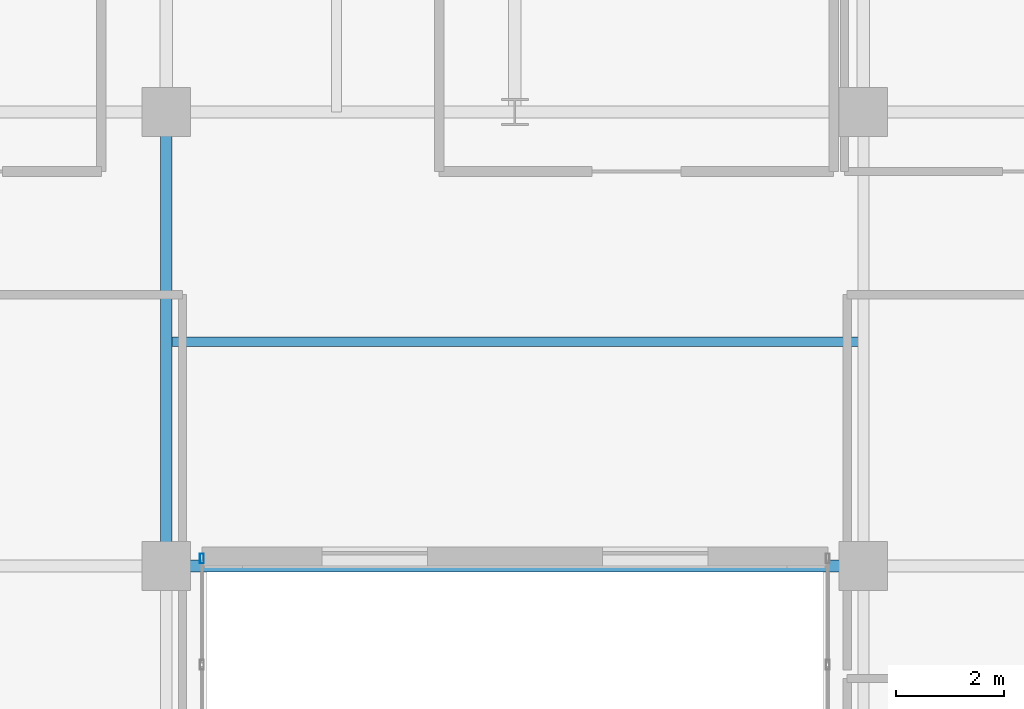
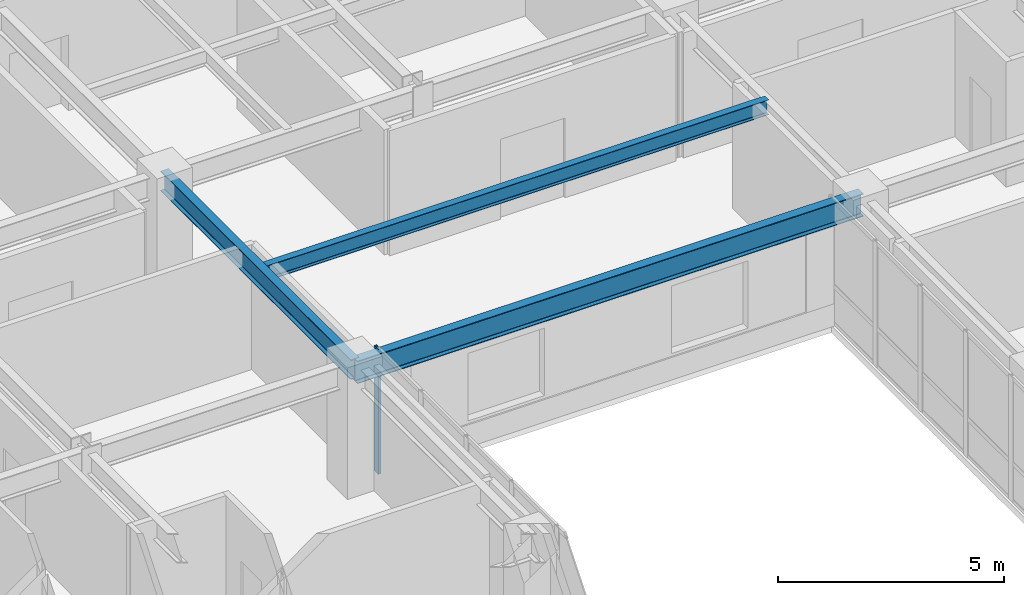
# One storey, part 5 of 25: 3 beams, 1 member, 1 element without a shape of its own.
"""IFC4 building model written with IfcOpenShell, lengths in metres."""

from ifc_helpers import new_model, si_unit, direction, frame, origin, origin_2d, place, context, subcontext, project, spatial, hollow_rectangle, i_section, extrude, source, transform, mapped, material, layer, layer_set, material_profile, profile_set, type_object, type_shapes, element, aggregate, save


model = new_model("IFC4")

# Units and contexts
model_context = context("Model", 3, precision=1e-05, world=origin(), true_north=direction((0.0, 1.0)))
body_context = subcontext(model_context, "Body", "Model", "MODEL_VIEW")
ifc_project = project(units=[si_unit("LENGTHUNIT", "METRE"), si_unit("AREAUNIT", "SQUARE_METRE"), si_unit("VOLUMEUNIT", "CUBIC_METRE"), si_unit("PLANEANGLEUNIT", "RADIAN"), si_unit("MASSUNIT", "GRAM", prefix="KILO")], contexts=[model_context])

# Site, building, storey
site_placement = place(None, origin())
site = spatial("IfcSite", under=ifc_project, at=site_placement, CompositionType="ELEMENT")
building_placement = place(site_placement, origin())
building = spatial("IfcBuilding", under=site, at=building_placement, Name="Tolvann Quenvar Hotel", CompositionType="ELEMENT")
storey_placement = place(building_placement, frame((0.0, 0.0, 111.550048828125)))
storey = spatial("IfcBuildingStorey", under=building, at=storey_placement, Name="L28", CompositionType="ELEMENT", Elevation=111.550048828125)

# Beams
ifc_material_1 = material(Name="Steel Grade 350", Category="steel")
ifc_material_profile_1 = material_profile(ifc_material_1, i_section(OverallWidth=0.22900390625, OverallDepth=0.612060546875, WebThickness=0.011962890625, FlangeThickness=0.01953125, FilletRadius=0.013916015625, at=origin_2d()), Name="610UB125")
ifc_profile_set_1 = profile_set([ifc_material_profile_1], Name="Steel Grade 350")
beam_type_1 = type_object("IfcBeamType", Name="BM_GIRD_610UB125", PredefinedType="BEAM", material=ifc_profile_set_1)
shared_shape_1 = source(origin(), body_context, "Body", "SweptSolid", [
    extrude(i_section(OverallWidth=0.22900390625, OverallDepth=0.612060546875, WebThickness=0.011962890625, FlangeThickness=0.01953125, FilletRadius=0.013916015625, at=origin_2d()), origin(), (0.0, 0.0, 1.0), 12.89990234375),
])
type_shapes(beam_type_1, [shared_shape_1])
beam_1_placement = place(storey_placement, frame((22.050048828125, 16.0, 3.06396484375), z_axis=(1.0, 0.0, 0.0), x_axis=(0.0, 1.0, 0.0)))
element("IfcBeam", 1, at=beam_1_placement, inside=storey, type_object=beam_type_1, Name="BM-L28-EW-4-E4-F4", PredefinedType="BEAM", context=body_context, shape_type="MappedRepresentation", body=[
    mapped(shared_shape_1, transform((0.0, 0.0, 0.0), x_axis=(1.0, 0.0, 0.0), y_axis=(0.0, 1.0, 0.0), z_axis=(0.0, 0.0, 1.0), scale=1.0)),
])
ifc_material_profile_2 = material_profile(ifc_material_1, i_section(OverallWidth=0.208984375, OverallDepth=0.532958984375, WebThickness=0.01025390625, FlangeThickness=0.015625, FilletRadius=0.013916015625, at=origin_2d()), Name="530UB92")
ifc_profile_set_2 = profile_set([ifc_material_profile_2], Name="Steel Grade 350")
beam_type_2 = type_object("IfcBeamType", Name="BM_GIRD_530UB92", PredefinedType="BEAM", material=ifc_profile_set_2)
shared_shape_2 = source(origin(), body_context, "Body", "SweptSolid", [
    extrude(i_section(OverallWidth=0.208984375, OverallDepth=0.532958984375, WebThickness=0.01025390625, FlangeThickness=0.015625, FilletRadius=0.013916015625, at=origin_2d()), origin(), (0.0, 0.0, 1.0), 8.39990234375),
])
type_shapes(beam_type_2, [shared_shape_2])
beam_2_placement = place(storey_placement, frame((22.050048828125, 16.0, 3.103515625), z_axis=(0.0, 1.0, 0.0), x_axis=(-1.0, 0.0, 0.0)))
element("IfcBeam", 2, at=beam_2_placement, inside=storey, type_object=beam_type_2, Name="BM-L28-NS-E4-E5", PredefinedType="BEAM", context=body_context, shape_type="MappedRepresentation", body=[
    mapped(shared_shape_2, transform((0.0, 0.0, 0.0), x_axis=(1.0, 0.0, 0.0), y_axis=(0.0, 1.0, 0.0), z_axis=(0.0, 0.0, 1.0), scale=1.0)),
])
ifc_material_profile_3 = material_profile(ifc_material_1, i_section(OverallWidth=0.177978515625, OverallDepth=0.406005859375, WebThickness=0.0078125, FlangeThickness=0.0126953125, FilletRadius=0.011474609375, at=origin_2d()), Name="410UB60")
ifc_profile_set_3 = profile_set([ifc_material_profile_3], Name="Steel Grade 350")
beam_type_3 = type_object("IfcBeamType", Name="BM_JOIST_410UB60", PredefinedType="JOIST", material=ifc_profile_set_3)
shared_shape_3 = source(origin(), body_context, "Body", "SweptSolid", [
    extrude(i_section(OverallWidth=0.177978515625, OverallDepth=0.406005859375, WebThickness=0.0078125, FlangeThickness=0.0126953125, FilletRadius=0.011474609375, at=origin_2d()), origin(), (0.0, 0.0, 1.0), 12.89990234375),
])
type_shapes(beam_type_3, [shared_shape_3])
beam_3_placement = place(storey_placement, frame((22.050048828125, 20.14990234375, 3.1669921875), z_axis=(1.0, 0.0, 0.0), x_axis=(0.0, 1.0, 0.0)))
element("IfcBeam", 3, at=beam_3_placement, inside=storey, type_object=beam_type_3, Name="BM-L28-SPINE-20", PredefinedType="JOIST", context=body_context, shape_type="MappedRepresentation", body=[
    mapped(shared_shape_3, transform((0.0, 0.0, 0.0), x_axis=(1.0, 0.0, 0.0), y_axis=(0.0, 1.0, 0.0), z_axis=(0.0, 0.0, 1.0), scale=1.0)),
])

# Curtain wall, member
ifc_material_2 = material(Name="Thermally broken anodised architectural aluminium 6063-T6 and laminated low-E glass", Category="aluminium")
ifc_layer = layer(ifc_material_2, 0.179931640625)
ifc_layer_set = layer_set([ifc_layer], Name="Thermally broken anodised architectural aluminium 6063-T6 and laminated low-E glass")
curtain_wall_type = type_object("IfcCurtainWallType", Name="CW_SYS_SLOT_03", PredefinedType="USERDEFINED", material=ifc_layer_set)
curtain_wall_placement = place(storey_placement, origin())
curtain_wall = element("IfcCurtainWall", 4, at=curtain_wall_placement, inside=storey, type_object=curtain_wall_type, Name="Curtain Wall CW-SLOT-03 (CWR-L28-E05)", ObjectType="UNITISED CURTAIN WALL", PredefinedType="USERDEFINED")
ifc_material_3 = material(Name="Anodised architectural aluminium 6063-T6 framing", Category="aluminium")
ifc_material_profile_4 = material_profile(ifc_material_3, hollow_rectangle(XDim=0.070068359375, YDim=0.179931640625, WallThickness=0.00390625, at=origin_2d()), Name="180x70x4RHS")
ifc_profile_set_4 = profile_set([ifc_material_profile_4], Name="Anodised architectural aluminium 6063-T6 framing")
member_type = type_object("IfcMemberType", Name="CW_MULL_180x70", PredefinedType="MULLION", material=ifc_profile_set_4)
shared_shape_4 = source(origin(), body_context, "Body", "SweptSolid", [
    extrude(hollow_rectangle(XDim=0.070068359375, YDim=0.179931640625, WallThickness=0.00390625, at=origin_2d()), origin(), (0.0, 0.0, 1.0), 3.369873046875),
])
type_shapes(member_type, [shared_shape_4])
member_placement = place(storey_placement, frame((22.7099609375, 16.139892578125, 0.0), z_axis=(0.0, 0.0, 1.0), x_axis=(-1.0, 0.0, 0.0)))
member = element("IfcMember", 5, at=member_placement, type_object=member_type, Name="CW-SLOT-03 mullion 9", PredefinedType="MULLION", context=body_context, shape_type="MappedRepresentation", body=[
    mapped(shared_shape_4, transform((0.0, 0.0, 0.0), x_axis=(1.0, 0.0, 0.0), y_axis=(0.0, 1.0, 0.0), z_axis=(0.0, 0.0, 1.0), scale=1.0)),
])
aggregate(curtain_wall, [member])

save(model, "model.ifc")
